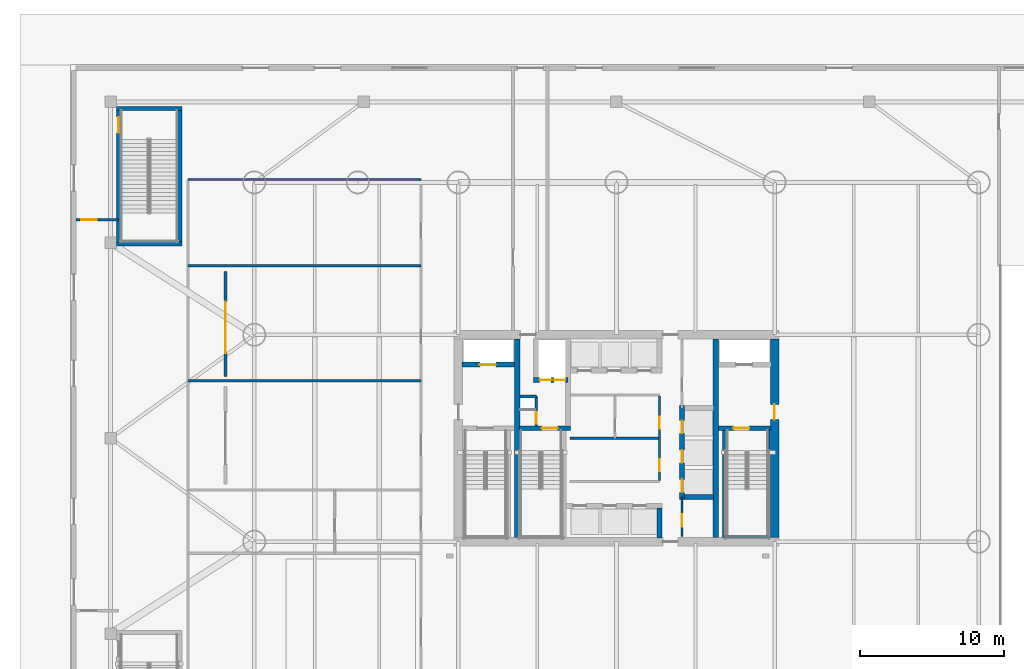
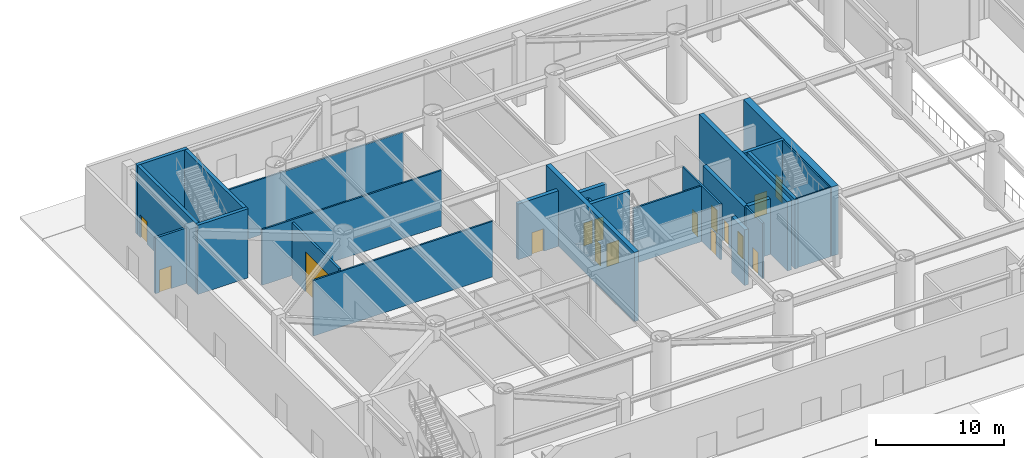
# One storey, part 5 of 15: 27 walls, 16 doors, 16 openings.
"""IFC4 building model written with IfcOpenShell, lengths in metres."""

from ifc_helpers import new_model, si_unit, direction, frame, frame_2d, origin, place, context, subcontext, project, spatial, rectangle, extrude, material, layer, layer_set, type_object, element, fill, save


model = new_model("IFC4")

# Units and contexts
model_context = context("Model", 3, precision=1e-05, world=origin(), true_north=direction((0.0, 1.0)))
body_context = subcontext(model_context, "Body", "Model", "MODEL_VIEW")
ifc_project = project(units=[si_unit("LENGTHUNIT", "METRE"), si_unit("AREAUNIT", "SQUARE_METRE"), si_unit("VOLUMEUNIT", "CUBIC_METRE"), si_unit("PLANEANGLEUNIT", "RADIAN"), si_unit("MASSUNIT", "GRAM", prefix="KILO")], contexts=[model_context])

# Site, building, storey
site_placement = place(None, origin())
site = spatial("IfcSite", under=ifc_project, at=site_placement, CompositionType="ELEMENT")
building_placement = place(site_placement, origin())
building = spatial("IfcBuilding", under=site, at=building_placement, Name="Bramvorn Convention Spire", CompositionType="ELEMENT")
storey_placement = place(building_placement, origin())
storey = spatial("IfcBuildingStorey", under=building, at=storey_placement, Name="L00", CompositionType="ELEMENT", Elevation=0.0)

# Wall, opening, door
ifc_material_1 = material(Name="Concrete C60/70", Category="concrete")
ifc_layer_1 = layer(ifc_material_1, 0.60009765625)
ifc_layer_set_1 = layer_set([ifc_layer_1], Name="Concrete C60/70 - WL-CORE-600")
wall_type_1 = type_object("IfcWallType", Name="WL-CORE-600", PredefinedType="SHEAR", material=ifc_layer_set_1)
wall_1_placement = place(storey_placement, frame((49.0, 19.10009765625, 0.0), z_axis=(0.0, 0.0, 1.0), x_axis=(0.0, 1.0, 0.0)))
wall_1 = element("IfcWall", 1, at=wall_1_placement, inside=storey, type_object=wall_type_1, Name="L00 East RC core shear wall", PredefinedType="SHEAR", context=body_context, shape_type="SweptSolid", body=[
    extrude(rectangle(XDim=13.7998046875, YDim=0.60009765625, at=frame_2d((6.89990234375, 0.0))), origin(), (0.0, 0.0, 1.0), 6.60009765625),
])
opening_1_placement = place(wall_1_placement, frame((8.199951171875, 0.0, 0.0)))
opening_1 = element("IfcOpeningElement", 2, at=opening_1_placement, cuts=wall_1, Name="Opening DL-105", PredefinedType="OPENING", context=body_context, shape_type="SweptSolid", body=[
    extrude(rectangle(XDim=1.050048828125, YDim=2.14990234375, at=frame_2d((0.52490234375, 1.074951171875))), frame((0.0, 0.31005859375, 0.0), z_axis=(0.0, -1.0, 0.0), x_axis=(1.0, 0.0, 0.0)), (0.0, 0.0, 1.0), 0.6201171875),
])
ifc_material_2 = material(Name="Smoke-Sealed Fire Lobby Timber-Core Door", Category="wood")
door_type_1 = type_object("IfcDoorType", Name="DR-LOBBY-1050", OperationType="NOTDEFINED", PredefinedType="DOOR", material=ifc_material_2)
door_1_placement = place(opening_1_placement, origin())
door_1 = element("IfcDoor", 3, at=door_1_placement, inside=storey, type_object=door_type_1, Name="L00 East Firefighting Lobby corridor door", OperationType="SINGLE_SWING_LEFT", OverallHeight=2.14990234375, OverallWidth=1.050048828125, PredefinedType="DOOR", context=body_context, shape_type="SweptSolid", body=[
    extrude(rectangle(XDim=1.050048828125, YDim=2.14990234375, at=frame_2d((0.52490234375, 1.074951171875))), frame((0.0, 0.02490234375, 0.0), z_axis=(0.0, -1.0, 0.0), x_axis=(1.0, 0.0, 0.0)), (0.0, 0.0, 1.0), 0.050048828125),
])
fill(opening_1, door_1)

ifc_material_3 = material(Name="Concrete C50/60", Category="concrete")
ifc_layer_2 = layer(ifc_material_3, 0.35009765625)
ifc_layer_set_2 = layer_set([ifc_layer_2], Name="Concrete C50/60 - WL-CORE-INT-350")
wall_type_2 = type_object("IfcWallType", Name="WL-CORE-INT-350", PredefinedType="SHEAR", material=ifc_layer_set_2)
wall_2_placement = place(storey_placement, frame((27.25, 31.1201171875, 0.0), z_axis=(0.0, 0.0, 1.0), x_axis=(1.0, 0.0, 0.0)))
wall_2 = element("IfcWall", 4, at=wall_2_placement, inside=storey, type_object=wall_type_2, Name="L00 FE1 shaft front wall", PredefinedType="SHEAR", context=body_context, shape_type="SweptSolid", body=[
    extrude(rectangle(XDim=3.669921875, YDim=0.35009765625, at=frame_2d((1.8349609375, 0.0))), origin(), (0.0, 0.0, 1.0), 5.31005859375),
])
opening_2_placement = place(wall_2_placement, frame((1.25, 0.0, 0.0)))
opening_2 = element("IfcOpeningElement", 5, at=opening_2_placement, cuts=wall_2, Name="Opening LD-110", PredefinedType="OPENING", context=body_context, shape_type="SweptSolid", body=[
    extrude(rectangle(XDim=1.10009765625, YDim=2.14990234375, at=frame_2d((0.550048828125, 1.074951171875))), frame((0.0, 0.18505859375, 0.0), z_axis=(0.0, -1.0, 0.0), x_axis=(1.0, 0.0, 0.0)), (0.0, 0.0, 1.0), 0.3701171875),
])
ifc_material_4 = material(Name="Firefighting & Service Lift Sliding Landing Door", Category="steel")
door_type_2 = type_object("IfcDoorType", Name="DR-LIFT-LD-1100", OperationType="NOTDEFINED", PredefinedType="DOOR", material=ifc_material_4)
door_2_placement = place(opening_2_placement, origin())
door_2 = element("IfcDoor", 6, at=door_2_placement, inside=storey, type_object=door_type_2, Name="L00 Lift FE1 Sliding Landing Door", OperationType="SLIDING_TO_LEFT", OverallHeight=2.14990234375, OverallWidth=1.10009765625, PredefinedType="DOOR", context=body_context, shape_type="SweptSolid", body=[
    extrude(rectangle(XDim=1.10009765625, YDim=2.14990234375, at=frame_2d((0.550048828125, 1.074951171875))), frame((0.0, 0.02490234375, 0.0), z_axis=(0.0, -1.0, 0.0), x_axis=(1.0, 0.0, 0.0)), (0.0, 0.0, 1.0), 0.050048828125),
])
fill(opening_2, door_2)

# Wall, openings, doors
wall_3_placement = place(storey_placement, frame((32.22998046875, 30.050048828125, 0.0), z_axis=(0.0, 0.0, 1.0), x_axis=(1.0, 0.0, 0.0)))
wall_3 = element("IfcWall", 7, at=wall_3_placement, inside=storey, type_object=wall_type_2, Name="L00 SV1/SV2 shaft front wall", PredefinedType="SHEAR", context=body_context, shape_type="SweptSolid", body=[
    extrude(rectangle(XDim=2.409912109375, YDim=0.35009765625, at=frame_2d((1.205078125, 0.0))), origin(), (0.0, 0.0, 1.0), 5.31005859375),
])
opening_3_placement = place(wall_3_placement, frame((0.419921875, 0.0, 0.0)))
opening_3 = element("IfcOpeningElement", 8, at=opening_3_placement, cuts=wall_3, Name="Opening LD-080", PredefinedType="OPENING", context=body_context, shape_type="SweptSolid", body=[
    extrude(rectangle(XDim=0.800048828125, YDim=2.14990234375, at=frame_2d((0.39990234375, 1.074951171875))), frame((0.0, 0.18505859375, 0.0), z_axis=(0.0, -1.0, 0.0), x_axis=(1.0, 0.0, 0.0)), (0.0, 0.0, 1.0), 0.3701171875),
])
opening_4_placement = place(wall_3_placement, frame((1.419921875, 0.0, 0.0)))
opening_4 = element("IfcOpeningElement", 9, at=opening_4_placement, cuts=wall_3, Name="Opening LD-080", PredefinedType="OPENING", context=body_context, shape_type="SweptSolid", body=[
    extrude(rectangle(XDim=0.800048828125, YDim=2.14990234375, at=frame_2d((0.39990234375, 1.074951171875))), frame((0.0, 0.18505859375, 0.0), z_axis=(0.0, -1.0, 0.0), x_axis=(1.0, 0.0, 0.0)), (0.0, 0.0, 1.0), 0.3701171875),
])
ifc_material_5 = material(Name="Service Lift Bi-Parting Landing Door", Category="steel")
door_type_3 = type_object("IfcDoorType", Name="DR-LIFT-LD-800", OperationType="NOTDEFINED", PredefinedType="DOOR", material=ifc_material_5)
door_3_placement = place(opening_3_placement, origin())
door_3 = element("IfcDoor", 10, at=door_3_placement, inside=storey, type_object=door_type_3, Name="L00 Lift SV1 Sliding Landing Door", OperationType="SLIDING_TO_LEFT", OverallHeight=2.14990234375, OverallWidth=0.800048828125, PredefinedType="DOOR", context=body_context, shape_type="SweptSolid", body=[
    extrude(rectangle(XDim=0.800048828125, YDim=2.14990234375, at=frame_2d((0.39990234375, 1.074951171875))), frame((0.0, 0.02490234375, 0.0), z_axis=(0.0, -1.0, 0.0), x_axis=(1.0, 0.0, 0.0)), (0.0, 0.0, 1.0), 0.050048828125),
])
fill(opening_3, door_3)
door_4_placement = place(opening_4_placement, origin())
door_4 = element("IfcDoor", 11, at=door_4_placement, inside=storey, type_object=door_type_3, Name="L00 Lift SV2 Sliding Landing Door", OperationType="SLIDING_TO_LEFT", OverallHeight=2.14990234375, OverallWidth=0.800048828125, PredefinedType="DOOR", context=body_context, shape_type="SweptSolid", body=[
    extrude(rectangle(XDim=0.800048828125, YDim=2.14990234375, at=frame_2d((0.39990234375, 1.074951171875))), frame((0.0, 0.02490234375, 0.0), z_axis=(0.0, -1.0, 0.0), x_axis=(1.0, 0.0, 0.0)), (0.0, 0.0, 1.0), 0.050048828125),
])
fill(opening_4, door_4)

wall_4_placement = place(storey_placement, frame((42.550048828125, 21.72998046875, 0.0), z_axis=(0.0, 0.0, 1.0), x_axis=(0.0, 1.0, 0.0)))
wall_4 = element("IfcWall", 12, at=wall_4_placement, inside=storey, type_object=wall_type_2, Name="L00 High-rise lift bank west wall", PredefinedType="SHEAR", context=body_context, shape_type="SweptSolid", body=[
    extrude(rectangle(XDim=6.5400390625, YDim=0.35009765625, at=frame_2d((3.27001953125, 0.0))), origin(), (0.0, 0.0, 1.0), 5.31005859375),
])
opening_5_placement = place(wall_4_placement, frame((0.5, 0.0, 0.0)))
opening_5 = element("IfcOpeningElement", 13, at=opening_5_placement, cuts=wall_4, Name="Opening LD-090", PredefinedType="OPENING", context=body_context, shape_type="SweptSolid", body=[
    extrude(rectangle(XDim=0.89990234375, YDim=2.14990234375, at=frame_2d((0.449951171875, 1.074951171875))), frame((0.0, 0.18505859375, 0.0), z_axis=(0.0, -1.0, 0.0), x_axis=(1.0, 0.0, 0.0)), (0.0, 0.0, 1.0), 0.3701171875),
])
opening_6_placement = place(wall_4_placement, frame((2.550048828125, 0.0, 0.0)))
opening_6 = element("IfcOpeningElement", 14, at=opening_6_placement, cuts=wall_4, Name="Opening LD-090", PredefinedType="OPENING", context=body_context, shape_type="SweptSolid", body=[
    extrude(rectangle(XDim=0.89990234375, YDim=2.14990234375, at=frame_2d((0.449951171875, 1.074951171875))), frame((0.0, 0.18505859375, 0.0), z_axis=(0.0, -1.0, 0.0), x_axis=(1.0, 0.0, 0.0)), (0.0, 0.0, 1.0), 0.3701171875),
])
opening_7_placement = place(wall_4_placement, frame((4.60009765625, 0.0, 0.0)))
opening_7 = element("IfcOpeningElement", 15, at=opening_7_placement, cuts=wall_4, Name="Opening LD-090", PredefinedType="OPENING", context=body_context, shape_type="SweptSolid", body=[
    extrude(rectangle(XDim=0.89990234375, YDim=2.14990234375, at=frame_2d((0.449951171875, 1.074951171875))), frame((0.0, 0.18505859375, 0.0), z_axis=(0.0, -1.0, 0.0), x_axis=(1.0, 0.0, 0.0)), (0.0, 0.0, 1.0), 0.3701171875),
])
ifc_material_6 = material(Name="Bi-Parting Fire-Rated Lift Landing Door", Category="steel")
door_type_4 = type_object("IfcDoorType", Name="DR-LIFT-LD-900", OperationType="NOTDEFINED", PredefinedType="DOOR", material=ifc_material_6)
door_5_placement = place(opening_5_placement, origin())
door_5 = element("IfcDoor", 16, at=door_5_placement, inside=storey, type_object=door_type_4, Name="L00 Lift PH1 Sliding Landing Door", OperationType="SLIDING_TO_LEFT", OverallHeight=2.14990234375, OverallWidth=0.89990234375, PredefinedType="DOOR", context=body_context, shape_type="SweptSolid", body=[
    extrude(rectangle(XDim=0.89990234375, YDim=2.14990234375, at=frame_2d((0.449951171875, 1.074951171875))), frame((0.0, 0.02490234375, 0.0), z_axis=(0.0, -1.0, 0.0), x_axis=(1.0, 0.0, 0.0)), (0.0, 0.0, 1.0), 0.050048828125),
])
fill(opening_5, door_5)
door_6_placement = place(opening_6_placement, origin())
door_6 = element("IfcDoor", 17, at=door_6_placement, inside=storey, type_object=door_type_4, Name="L00 Lift PH2 Sliding Landing Door", OperationType="SLIDING_TO_LEFT", OverallHeight=2.14990234375, OverallWidth=0.89990234375, PredefinedType="DOOR", context=body_context, shape_type="SweptSolid", body=[
    extrude(rectangle(XDim=0.89990234375, YDim=2.14990234375, at=frame_2d((0.449951171875, 1.074951171875))), frame((0.0, 0.02490234375, 0.0), z_axis=(0.0, -1.0, 0.0), x_axis=(1.0, 0.0, 0.0)), (0.0, 0.0, 1.0), 0.050048828125),
])
fill(opening_6, door_6)
door_7_placement = place(opening_7_placement, origin())
door_7 = element("IfcDoor", 18, at=door_7_placement, inside=storey, type_object=door_type_4, Name="L00 Lift PH3 Sliding Landing Door", OperationType="SLIDING_TO_LEFT", OverallHeight=2.14990234375, OverallWidth=0.89990234375, PredefinedType="DOOR", context=body_context, shape_type="SweptSolid", body=[
    extrude(rectangle(XDim=0.89990234375, YDim=2.14990234375, at=frame_2d((0.449951171875, 1.074951171875))), frame((0.0, 0.02490234375, 0.0), z_axis=(0.0, -1.0, 0.0), x_axis=(1.0, 0.0, 0.0)), (0.0, 0.0, 1.0), 0.050048828125),
])
fill(opening_7, door_7)

# Walls
wall_5_placement = place(storey_placement, frame((42.719970703125, 21.89990234375, 0.0), z_axis=(0.0, 0.0, 1.0), x_axis=(1.0, 0.0, 0.0)))
element("IfcWall", 19, at=wall_5_placement, inside=storey, type_object=wall_type_2, Name="L00 High-rise lift bank south wall", PredefinedType="SHEAR", context=body_context, shape_type="SweptSolid", body=[
    extrude(rectangle(XDim=2.030029296875, YDim=0.35009765625, at=frame_2d((1.01513671875, 0.0))), origin(), (0.0, 0.0, 1.0), 5.31005859375),
])
wall_6_placement = place(storey_placement, frame((41.0, 19.050048828125, 0.0), z_axis=(0.0, 0.0, 1.0), x_axis=(0.0, 1.0, 0.0)))
element("IfcWall", 20, at=wall_6_placement, inside=storey, type_object=wall_type_2, Name="L00 Mid-rise bank east cheek wall", PredefinedType="SHEAR", context=body_context, shape_type="SweptSolid", body=[
    extrude(rectangle(XDim=2.079833984375, YDim=0.35009765625, at=frame_2d((1.0400390625, 0.0))), origin(), (0.0, 0.0, 1.0), 5.31005859375),
])
ifc_layer_3 = layer(ifc_material_1, 0.39990234375)
ifc_layer_set_3 = layer_set([ifc_layer_3], Name="Concrete C60/70 - WL-CORE-INT-400")
wall_type_3 = type_object("IfcWallType", Name="WL-CORE-INT-400", PredefinedType="SHEAR", material=ifc_layer_set_3)
for number, where, z_axis, x_axis, name in (
    (21, (31.10009765625, 19.10009765625, 0.0), (0.0, 0.0, 1.0), (0.0, 1.0, 0.0), "L00 West internal core shear web"),
    (22, (44.89990234375, 19.10009765625, 0.0), (0.0, 0.0, 1.0), (0.0, 1.0, 0.0), "L00 East internal core shear web"),
):
    element("IfcWall", number, at=place(storey_placement, frame(where, z_axis=z_axis, x_axis=x_axis)), inside=storey, type_object=wall_type_3, Name=name, PredefinedType="SHEAR", context=body_context, shape_type="SweptSolid", body=[
        extrude(rectangle(XDim=13.7998046875, YDim=0.39990234375, at=frame_2d((6.89990234375, 0.0))), origin(), (0.0, 0.0, 1.0), 6.60009765625),
    ])

# Wall, openings, doors
ifc_material_7 = material(Name="Acoustic Metal-Stud Tenant/Corridor Partition", Category="gypsum")
ifc_layer_4 = layer(ifc_material_7, 0.14990234375)
ifc_layer_set_4 = layer_set([ifc_layer_4], Name="Acoustic Metal-Stud Tenant/Corridor Partition - WL-PART-150")
wall_type_4 = type_object("IfcWallType", Name="WL-PART-150", PredefinedType="PARTITIONING", material=ifc_layer_set_4)
wall_7_placement = place(storey_placement, frame((41.0, 23.050048828125, 0.0), z_axis=(0.0, 0.0, 1.0), x_axis=(0.0, 1.0, 0.0)))
wall_7 = element("IfcWall", 23, at=wall_7_placement, inside=storey, type_object=wall_type_4, Name="L00 Core room east wall", PredefinedType="PARTITIONING", context=body_context, shape_type="SweptSolid", body=[
    extrude(rectangle(XDim=5.89990234375, YDim=0.14990234375, at=frame_2d((2.949951171875, 0.0))), origin(), (0.0, 0.0, 1.0), 5.31005859375),
])
opening_8_placement = place(wall_7_placement, frame((0.64990234375, 0.0, 0.0)))
opening_8 = element("IfcOpeningElement", 24, at=opening_8_placement, cuts=wall_7, Name="Opening DC-085", PredefinedType="OPENING", context=body_context, shape_type="SweptSolid", body=[
    extrude(rectangle(XDim=0.85009765625, YDim=2.10009765625, at=frame_2d((0.425048828125, 1.050048828125))), frame((0.0, 0.0849609375, 0.0), z_axis=(0.0, -1.0, 0.0), x_axis=(1.0, 0.0, 0.0)), (0.0, 0.0, 1.0), 0.169921875),
])
opening_9_placement = place(wall_7_placement, frame((3.60009765625, 0.0, 0.0)))
opening_9 = element("IfcOpeningElement", 25, at=opening_9_placement, cuts=wall_7, Name="Opening DC-085", PredefinedType="OPENING", context=body_context, shape_type="SweptSolid", body=[
    extrude(rectangle(XDim=0.85009765625, YDim=2.10009765625, at=frame_2d((0.425048828125, 1.050048828125))), frame((0.0, 0.0849609375, 0.0), z_axis=(0.0, -1.0, 0.0), x_axis=(1.0, 0.0, 0.0)), (0.0, 0.0, 1.0), 0.169921875),
])
ifc_material_8 = material(Name="Fire-Rated Core Washroom & IDF Door", Category="wood")
door_type_5 = type_object("IfcDoorType", Name="DR-CORE-850", OperationType="NOTDEFINED", PredefinedType="DOOR", material=ifc_material_8)
door_8_placement = place(opening_8_placement, origin())
door_8 = element("IfcDoor", 26, at=door_8_placement, inside=storey, type_object=door_type_5, Name="L00 Core room 1 door", OperationType="SINGLE_SWING_LEFT", OverallHeight=2.10009765625, OverallWidth=0.85009765625, PredefinedType="DOOR", context=body_context, shape_type="SweptSolid", body=[
    extrude(rectangle(XDim=0.85009765625, YDim=2.10009765625, at=frame_2d((0.425048828125, 1.050048828125))), frame((0.0, 0.02490234375, 0.0), z_axis=(0.0, -1.0, 0.0), x_axis=(1.0, 0.0, 0.0)), (0.0, 0.0, 1.0), 0.050048828125),
])
fill(opening_8, door_8)
door_9_placement = place(opening_9_placement, origin())
door_9 = element("IfcDoor", 27, at=door_9_placement, inside=storey, type_object=door_type_5, Name="L00 Core room 2 door", OperationType="SINGLE_SWING_LEFT", OverallHeight=2.10009765625, OverallWidth=0.85009765625, PredefinedType="DOOR", context=body_context, shape_type="SweptSolid", body=[
    extrude(rectangle(XDim=0.85009765625, YDim=2.10009765625, at=frame_2d((0.425048828125, 1.050048828125))), frame((0.0, 0.02490234375, 0.0), z_axis=(0.0, -1.0, 0.0), x_axis=(1.0, 0.0, 0.0)), (0.0, 0.0, 1.0), 0.050048828125),
])
fill(opening_9, door_9)

# Wall
wall_8_placement = place(storey_placement, frame((34.75, 26.0, 0.0), z_axis=(0.0, 0.0, 1.0), x_axis=(1.0, 0.0, 0.0)))
element("IfcWall", 28, at=wall_8_placement, inside=storey, type_object=wall_type_4, Name="L00 Core room divider", PredefinedType="PARTITIONING", context=body_context, shape_type="SweptSolid", body=[
    extrude(rectangle(XDim=6.25, YDim=0.14990234375, at=frame_2d((3.125, 0.0))), origin(), (0.0, 0.0, 1.0), 5.31005859375),
])

# Wall, opening, door
wall_9_placement = place(storey_placement, frame((42.550048828125, 19.14990234375, 0.0), z_axis=(0.0, 0.0, 1.0), x_axis=(0.0, 1.0, 0.0)))
wall_9 = element("IfcWall", 29, at=wall_9_placement, inside=storey, type_object=wall_type_4, Name="L00 Core SE riser wall", PredefinedType="PARTITIONING", context=body_context, shape_type="SweptSolid", body=[
    extrude(rectangle(XDim=2.75, YDim=0.14990234375, at=frame_2d((1.375, 0.0))), origin(), (0.0, 0.0, 1.0), 5.31005859375),
])
opening_10_placement = place(wall_9_placement, frame((0.699951171875, 0.0, 0.0)))
opening_10 = element("IfcOpeningElement", 30, at=opening_10_placement, cuts=wall_9, Name="Opening DC-085", PredefinedType="OPENING", context=body_context, shape_type="SweptSolid", body=[
    extrude(rectangle(XDim=0.85009765625, YDim=2.10009765625, at=frame_2d((0.425048828125, 1.050048828125))), frame((0.0, 0.0849609375, 0.0), z_axis=(0.0, -1.0, 0.0), x_axis=(1.0, 0.0, 0.0)), (0.0, 0.0, 1.0), 0.169921875),
])
door_10_placement = place(opening_10_placement, origin())
door_10 = element("IfcDoor", 31, at=door_10_placement, inside=storey, type_object=door_type_5, Name="L00 Core SE riser door", OperationType="SINGLE_SWING_LEFT", OverallHeight=2.10009765625, OverallWidth=0.85009765625, PredefinedType="DOOR", context=body_context, shape_type="SweptSolid", body=[
    extrude(rectangle(XDim=0.85009765625, YDim=2.10009765625, at=frame_2d((0.425048828125, 1.050048828125))), frame((0.0, 0.02490234375, 0.0), z_axis=(0.0, -1.0, 0.0), x_axis=(1.0, 0.0, 0.0)), (0.0, 0.0, 1.0), 0.050048828125),
])
fill(opening_10, door_10)

# Walls
for number, where, z_axis, x_axis, name in (
    (32, (8.199951171875, 44.0, 0.0), (0.0, 0.0, 1.0), (1.0, 0.0, 0.0), "L00 West room north wall"),
    (33, (8.199951171875, 30.0, 0.0), (0.0, 0.0, 1.0), (1.0, 0.0, 0.0), "L00 West room divider Y=30.0"),
    (34, (8.199951171875, 38.0, 0.0), (0.0, 0.0, 1.0), (1.0, 0.0, 0.0), "L00 West room divider Y=38.0"),
):
    element("IfcWall", number, at=place(storey_placement, frame(where, z_axis=z_axis, x_axis=x_axis)), inside=storey, type_object=wall_type_4, Name=name, PredefinedType="PARTITIONING", context=body_context, shape_type="SweptSolid", body=[
        extrude(rectangle(XDim=16.199951171875, YDim=0.14990234375, at=frame_2d((8.10009765625, 0.0))), origin(), (0.0, 0.0, 1.0), 5.31005859375),
    ])

# Wall, opening, door
ifc_material_9 = material(Name="Gypsum Shaftwall & Rockwool Core Partition", Category="gypsum")
ifc_layer_5 = layer(ifc_material_9, 0.199951171875)
ifc_layer_set_5 = layer_set([ifc_layer_5], Name="Gypsum Shaftwall & Rockwool Core Partition - WL-PART-200-FR")
wall_type_5 = type_object("IfcWallType", Name="WL-PART-200-FR", PredefinedType="PARTITIONING", material=ifc_layer_set_5)
wall_10_placement = place(storey_placement, frame((32.419921875, 26.860107421875, 0.0), z_axis=(0.0, 0.0, 1.0), x_axis=(0.0, 1.0, 0.0)))
wall_10 = element("IfcWall", 35, at=wall_10_placement, inside=storey, type_object=wall_type_5, Name="L00 Telecom riser east wall", PredefinedType="PARTITIONING", context=body_context, shape_type="SweptSolid", body=[
    extrude(rectangle(XDim=2.039794921875, YDim=0.199951171875, at=frame_2d((1.02001953125, 0.0))), origin(), (0.0, 0.0, 1.0), 5.31005859375),
])
opening_11_placement = place(wall_10_placement, frame((0.139892578125, 0.0, 0.0)))
opening_11 = element("IfcOpeningElement", 36, at=opening_11_placement, cuts=wall_10, Name="Opening DR-080", PredefinedType="OPENING", context=body_context, shape_type="SweptSolid", body=[
    extrude(rectangle(XDim=0.800048828125, YDim=2.050048828125, at=frame_2d((0.39990234375, 1.02490234375))), frame((0.0, 0.10986328125, 0.0), z_axis=(0.0, -1.0, 0.0), x_axis=(1.0, 0.0, 0.0)), (0.0, 0.0, 1.0), 0.219970703125),
])
ifc_material_10 = material(Name="Flush Steel Riser Access Door", Category="steel")
door_type_6 = type_object("IfcDoorType", Name="DR-RISER-800", OperationType="NOTDEFINED", PredefinedType="DOOR", material=ifc_material_10)
door_11_placement = place(opening_11_placement, origin())
door_11 = element("IfcDoor", 37, at=door_11_placement, inside=storey, type_object=door_type_6, Name="L00 Telecom riser access door", OperationType="SINGLE_SWING_RIGHT", OverallHeight=2.050048828125, OverallWidth=0.800048828125, PredefinedType="DOOR", context=body_context, shape_type="SweptSolid", body=[
    extrude(rectangle(XDim=0.800048828125, YDim=2.050048828125, at=frame_2d((0.39990234375, 1.02490234375))), frame((0.0, 0.02490234375, 0.0), z_axis=(0.0, -1.0, 0.0), x_axis=(1.0, 0.0, 0.0)), (0.0, 0.0, 1.0), 0.050048828125),
])
fill(opening_11, door_11)

# Wall
wall_11_placement = place(storey_placement, frame((31.300048828125, 28.89990234375, 0.0), z_axis=(0.0, 0.0, 1.0), x_axis=(1.0, 0.0, 0.0)))
element("IfcWall", 38, at=wall_11_placement, inside=storey, type_object=wall_type_5, Name="L00 Telecom riser north wall", PredefinedType="PARTITIONING", context=body_context, shape_type="SweptSolid", body=[
    extrude(rectangle(XDim=1.119873046875, YDim=0.199951171875, at=frame_2d((0.56005859375, 0.0))), origin(), (0.0, 0.0, 1.0), 5.31005859375),
])

# Wall, opening, door
wall_12_placement = place(storey_placement, frame((0.39990234375, 41.199951171875, 0.0), z_axis=(0.0, 0.0, 1.0), x_axis=(1.0, 0.0, 0.0)))
wall_12 = element("IfcWall", 39, at=wall_12_placement, inside=storey, type_object=wall_type_5, Name="L00 ST6 protected exit passage south wall", PredefinedType="PARTITIONING", context=body_context, shape_type="SweptSolid", body=[
    extrude(rectangle(XDim=2.960205078125, YDim=0.199951171875, at=frame_2d((1.47998046875, 0.0))), origin(), (0.0, 0.0, 1.0), 5.31005859375),
])
opening_12_placement = place(wall_12_placement, frame((0.35009765625, 0.0, 0.0)))
opening_12 = element("IfcOpeningElement", 40, at=opening_12_placement, cuts=wall_12, Name="Opening DS-110", PredefinedType="OPENING", context=body_context, shape_type="SweptSolid", body=[
    extrude(rectangle(XDim=1.10009765625, YDim=2.14990234375, at=frame_2d((0.550048828125, 1.074951171875))), frame((0.0, 0.10986328125, 0.0), z_axis=(0.0, -1.0, 0.0), x_axis=(1.0, 0.0, 0.0)), (0.0, 0.0, 1.0), 0.219970703125),
])
ifc_material_11 = material(Name="Fire-Rated Hollow Steel Stairwell Door", Category="steel")
door_type_7 = type_object("IfcDoorType", Name="DR-STAIR-1100", OperationType="NOTDEFINED", PredefinedType="DOOR", material=ifc_material_11)
door_12_placement = place(opening_12_placement, origin())
door_12 = element("IfcDoor", 41, at=door_12_placement, inside=storey, type_object=door_type_7, Name="L00 ST6 Protected Passage concourse fire door", OperationType="SINGLE_SWING_RIGHT", OverallHeight=2.14990234375, OverallWidth=1.10009765625, PredefinedType="DOOR", context=body_context, shape_type="SweptSolid", body=[
    extrude(rectangle(XDim=1.10009765625, YDim=2.14990234375, at=frame_2d((0.550048828125, 1.074951171875))), frame((0.0, 0.02490234375, 0.0), z_axis=(0.0, -1.0, 0.0), x_axis=(1.0, 0.0, 0.0)), (0.0, 0.0, 1.0), 0.050048828125),
])
fill(opening_12, door_12)

wall_13_placement = place(storey_placement, frame((10.800048828125, 30.300048828125, 0.0), z_axis=(0.0, 0.0, 1.0), x_axis=(0.0, 1.0, 0.0)))
wall_13 = element("IfcWall", 42, at=wall_13_placement, inside=storey, type_object=wall_type_5, Name="L00 Internal freight bay shutter wall", PredefinedType="PARTITIONING", context=body_context, shape_type="SweptSolid", body=[
    extrude(rectangle(XDim=7.300048828125, YDim=0.199951171875, at=frame_2d((3.64990234375, 0.0))), origin(), (0.0, 0.0, 1.0), 5.31005859375),
])
opening_13_placement = place(wall_13_placement, frame((1.60009765625, 0.0, 0.0)))
opening_13 = element("IfcOpeningElement", 43, at=opening_13_placement, cuts=wall_13, Name="Opening VD01", PredefinedType="OPENING", context=body_context, shape_type="SweptSolid", body=[
    extrude(rectangle(XDim=3.60009765625, YDim=3.800048828125, at=frame_2d((1.800048828125, 1.89990234375))), frame((0.0, 0.10986328125, 0.0), z_axis=(0.0, -1.0, 0.0), x_axis=(1.0, 0.0, 0.0)), (0.0, 0.0, 1.0), 0.219970703125),
])
ifc_material_12 = material(Name="Anodised Bronze Aluminium & Laminated Safety Glass", Category="aluminium")
door_type_8 = type_object("IfcDoorType", Name="DR-DOCK-3600X3800", OperationType="NOTDEFINED", PredefinedType="TRAPDOOR", material=ifc_material_12)
door_13_placement = place(opening_13_placement, origin())
door_13 = element("IfcDoor", 44, at=door_13_placement, inside=storey, type_object=door_type_8, Name="L00 Marshalling Dock High-Speed Overhead Door 2", OperationType="ROLLINGUP", OverallHeight=3.800048828125, OverallWidth=3.60009765625, PredefinedType="TRAPDOOR", context=body_context, shape_type="SweptSolid", body=[
    extrude(rectangle(XDim=3.60009765625, YDim=3.800048828125, at=frame_2d((1.800048828125, 1.89990234375))), frame((0.0, 0.02490234375, 0.0), z_axis=(0.0, -1.0, 0.0), x_axis=(1.0, 0.0, 0.0)), (0.0, 0.0, 1.0), 0.050048828125),
])
fill(opening_13, door_13)

ifc_layer_6 = layer(ifc_material_3, 0.300048828125)
ifc_layer_set_6 = layer_set([ifc_layer_6], Name="Concrete C50/60 - WL-POD-STAIR-300")
wall_type_6 = type_object("IfcWallType", Name="WL-POD-STAIR-300", PredefinedType="SHEAR", material=ifc_layer_set_6)
wall_14_placement = place(storey_placement, frame((45.080078125, 26.68994140625, 0.0), z_axis=(0.0, 0.0, 1.0), x_axis=(1.0, 0.0, 0.0)))
wall_14 = element("IfcWall", 45, at=wall_14_placement, inside=storey, type_object=wall_type_6, Name="L00 ST2 north fire wall", PredefinedType="SHEAR", context=body_context, shape_type="SweptSolid", body=[
    extrude(rectangle(XDim=3.669921875, YDim=0.300048828125, at=frame_2d((1.8349609375, 0.0))), origin(), (0.0, 0.0, 1.0), 6.60009765625),
])
opening_14_placement = place(wall_14_placement, frame((1.050048828125, 0.0, 0.0)))
opening_14 = element("IfcOpeningElement", 46, at=opening_14_placement, cuts=wall_14, Name="Opening DS-110", PredefinedType="OPENING", context=body_context, shape_type="SweptSolid", body=[
    extrude(rectangle(XDim=1.10009765625, YDim=2.14990234375, at=frame_2d((0.550048828125, 1.074951171875))), frame((0.0, 0.159912109375, 0.0), z_axis=(0.0, -1.0, 0.0), x_axis=(1.0, 0.0, 0.0)), (0.0, 0.0, 1.0), 0.320068359375),
])
door_14_placement = place(opening_14_placement, origin())
door_14 = element("IfcDoor", 47, at=door_14_placement, inside=storey, type_object=door_type_7, Name="L00 Stair ST2 fire door", OperationType="SINGLE_SWING_RIGHT", OverallHeight=2.14990234375, OverallWidth=1.10009765625, PredefinedType="DOOR", context=body_context, shape_type="SweptSolid", body=[
    extrude(rectangle(XDim=1.10009765625, YDim=2.14990234375, at=frame_2d((0.550048828125, 1.074951171875))), frame((0.0, 0.02490234375, 0.0), z_axis=(0.0, -1.0, 0.0), x_axis=(1.0, 0.0, 0.0)), (0.0, 0.0, 1.0), 0.050048828125),
])
fill(opening_14, door_14)

# Wall
wall_15_placement = place(storey_placement, frame((45.510009765625, 19.050048828125, 0.0), z_axis=(0.0, 0.0, 1.0), x_axis=(0.0, 1.0, 0.0)))
element("IfcWall", 48, at=wall_15_placement, inside=storey, type_object=wall_type_6, Name="L00 ST2 west bearing wall", PredefinedType="SHEAR", context=body_context, shape_type="SweptSolid", body=[
    extrude(rectangle(XDim=7.5, YDim=0.300048828125, at=frame_2d((3.75, 0.0))), origin(), (0.0, 0.0, 1.0), 6.60009765625),
])

# Wall, opening, door
wall_16_placement = place(storey_placement, frame((31.25, 26.68994140625, 0.0), z_axis=(0.0, 0.0, 1.0), x_axis=(1.0, 0.0, 0.0)))
wall_16 = element("IfcWall", 49, at=wall_16_placement, inside=storey, type_object=wall_type_6, Name="L00 ST3 north lobby wall", PredefinedType="SHEAR", context=body_context, shape_type="SweptSolid", body=[
    extrude(rectangle(XDim=3.56005859375, YDim=0.300048828125, at=frame_2d((1.780029296875, 0.0))), origin(), (0.0, 0.0, 1.0), 6.60009765625),
])
opening_15_placement = place(wall_16_placement, frame((1.550048828125, 0.0, 0.0)))
opening_15 = element("IfcOpeningElement", 50, at=opening_15_placement, cuts=wall_16, Name="Opening DS-110", PredefinedType="OPENING", context=body_context, shape_type="SweptSolid", body=[
    extrude(rectangle(XDim=1.10009765625, YDim=2.14990234375, at=frame_2d((0.550048828125, 1.074951171875))), frame((0.0, 0.159912109375, 0.0), z_axis=(0.0, -1.0, 0.0), x_axis=(1.0, 0.0, 0.0)), (0.0, 0.0, 1.0), 0.320068359375),
])
door_15_placement = place(opening_15_placement, origin())
door_15 = element("IfcDoor", 51, at=door_15_placement, inside=storey, type_object=door_type_7, Name="L00 Stair ST3 fire door", OperationType="SINGLE_SWING_LEFT", OverallHeight=2.14990234375, OverallWidth=1.10009765625, PredefinedType="DOOR", context=body_context, shape_type="SweptSolid", body=[
    extrude(rectangle(XDim=1.10009765625, YDim=2.14990234375, at=frame_2d((0.550048828125, 1.074951171875))), frame((0.0, 0.02490234375, 0.0), z_axis=(0.0, -1.0, 0.0), x_axis=(1.0, 0.0, 0.0)), (0.0, 0.0, 1.0), 0.050048828125),
])
fill(opening_15, door_15)

# Walls
for number, where, z_axis, x_axis, name in (
    (52, (3.2099609375, 39.510009765625, 0.0), (0.0, 0.0, 1.0), (1.0, 0.0, 0.0), "L00 ST6 south shaft wall"),
    (53, (3.2099609375, 48.93994140625, 0.0), (0.0, 0.0, 1.0), (1.0, 0.0, 0.0), "L00 ST6 north shaft wall"),
):
    element("IfcWall", number, at=place(storey_placement, frame(where, z_axis=z_axis, x_axis=x_axis)), inside=storey, type_object=wall_type_6, Name=name, PredefinedType="SHEAR", context=body_context, shape_type="SweptSolid", body=[
        extrude(rectangle(XDim=4.56005859375, YDim=0.300048828125, at=frame_2d((2.280029296875, 0.0))), origin(), (0.0, 0.0, 1.0), 6.60009765625),
    ])

# Wall, opening, door
wall_17_placement = place(storey_placement, frame((3.360107421875, 39.659912109375, 0.0), z_axis=(0.0, 0.0, 1.0), x_axis=(0.0, 1.0, 0.0)))
wall_17 = element("IfcWall", 54, at=wall_17_placement, inside=storey, type_object=wall_type_6, Name="L00 ST6 west shaft wall", PredefinedType="SHEAR", context=body_context, shape_type="SweptSolid", body=[
    extrude(rectangle(XDim=9.130126953125, YDim=0.300048828125, at=frame_2d((4.56494140625, 0.0))), origin(), (0.0, 0.0, 1.0), 6.60009765625),
])
opening_16_placement = place(wall_17_placement, frame((7.580078125, 0.0, 0.0)))
opening_16 = element("IfcOpeningElement", 55, at=opening_16_placement, cuts=wall_17, Name="Opening DS-110", PredefinedType="OPENING", context=body_context, shape_type="SweptSolid", body=[
    extrude(rectangle(XDim=1.10009765625, YDim=2.14990234375, at=frame_2d((0.550048828125, 1.074951171875))), frame((0.0, 0.159912109375, 0.0), z_axis=(0.0, -1.0, 0.0), x_axis=(1.0, 0.0, 0.0)), (0.0, 0.0, 1.0), 0.320068359375),
])
door_16_placement = place(opening_16_placement, origin())
door_16 = element("IfcDoor", 56, at=door_16_placement, inside=storey, type_object=door_type_7, Name="L00 ST6 exit stairwell door", OperationType="SINGLE_SWING_LEFT", OverallHeight=2.14990234375, OverallWidth=1.10009765625, PredefinedType="DOOR", context=body_context, shape_type="SweptSolid", body=[
    extrude(rectangle(XDim=1.10009765625, YDim=2.14990234375, at=frame_2d((0.550048828125, 1.074951171875))), frame((0.0, 0.02490234375, 0.0), z_axis=(0.0, -1.0, 0.0), x_axis=(1.0, 0.0, 0.0)), (0.0, 0.0, 1.0), 0.050048828125),
])
fill(opening_16, door_16)

# Walls
wall_18_placement = place(storey_placement, frame((7.6201171875, 48.7900390625, 0.0), z_axis=(0.0, 0.0, 1.0), x_axis=(0.0, -1.0, 0.0)))
element("IfcWall", 57, at=wall_18_placement, inside=storey, type_object=wall_type_6, Name="L00 ST6 east shaft wall", PredefinedType="SHEAR", context=body_context, shape_type="SweptSolid", body=[
    extrude(rectangle(XDim=9.130126953125, YDim=0.300048828125, at=frame_2d((4.56494140625, 0.0))), origin(), (0.0, 0.0, 1.0), 6.60009765625),
])
ifc_layer_7 = layer(ifc_material_3, 0.1201171875)
ifc_layer_set_7 = layer_set([ifc_layer_7], Name="Concrete C50/60 - WL-STAIR-RC-120")
wall_type_7 = type_object("IfcWallType", Name="WL-STAIR-RC-120", PredefinedType="SHEAR", material=ifc_layer_set_7)
wall_19_placement = place(storey_placement, frame((48.60498046875, 19.10009765625, 0.0), z_axis=(0.0, 0.0, 1.0), x_axis=(0.0, 1.0, 0.0)))
element("IfcWall", 58, at=wall_19_placement, inside=storey, type_object=wall_type_7, Name="L00 ST2 east bearing shear wall", PredefinedType="SHEAR", context=body_context, shape_type="SweptSolid", body=[
    extrude(rectangle(XDim=7.449951171875, YDim=0.1201171875, at=frame_2d((3.72509765625, 0.0))), origin(), (0.0, 0.0, 1.0), 6.60009765625),
])
wall_20_placement = place(storey_placement, frame((45.510009765625, 19.159912109375, 0.0), z_axis=(0.0, 0.0, 1.0), x_axis=(1.0, 0.0, 0.0)))
element("IfcWall", 59, at=wall_20_placement, inside=storey, type_object=wall_type_7, Name="L00 ST2 south bearing shear wall", PredefinedType="SHEAR", context=body_context, shape_type="SweptSolid", body=[
    extrude(rectangle(XDim=3.094970703125, YDim=0.1201171875, at=frame_2d((1.54736328125, 0.0))), origin(), (0.0, 0.0, 1.0), 6.60009765625),
])

save(model, "model.ifc")
